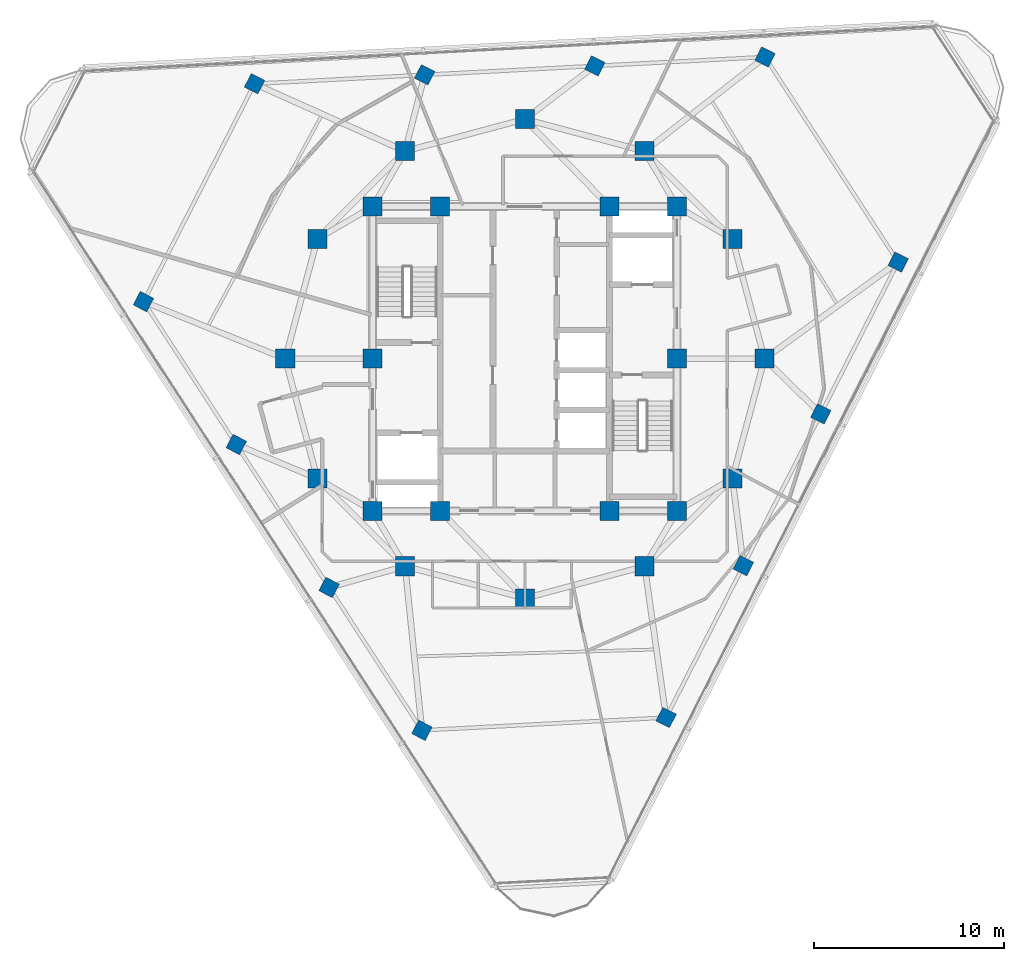
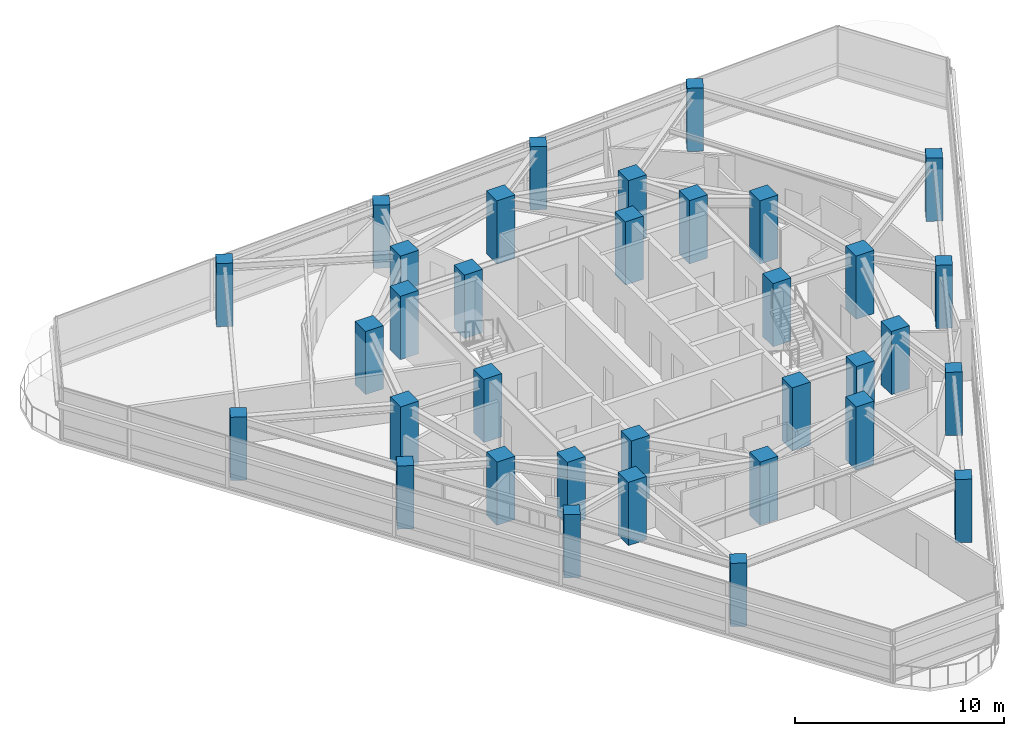
# One storey, part 1 of 15: 34 columns.
"""IFC4 building model written with IfcOpenShell, lengths in metres."""

from ifc_helpers import new_model, si_unit, direction, frame, origin, origin_2d, place, context, subcontext, project, spatial, rectangle, extrude, material, material_profile, profile_set, type_object, element, save


model = new_model("IFC4")

# Units and contexts
model_context = context("Model", 3, precision=1e-05, world=origin(), true_north=direction((0.0, 1.0)))
body_context = subcontext(model_context, "Body", "Model", "MODEL_VIEW")
ifc_project = project(units=[si_unit("LENGTHUNIT", "METRE"), si_unit("AREAUNIT", "SQUARE_METRE"), si_unit("VOLUMEUNIT", "CUBIC_METRE"), si_unit("PLANEANGLEUNIT", "RADIAN"), si_unit("MASSUNIT", "GRAM", prefix="KILO")], contexts=[model_context])

# Site, building, storey
site_placement = place(None, origin())
site = spatial("IfcSite", under=ifc_project, at=site_placement, CompositionType="ELEMENT")
building_placement = place(site_placement, origin())
building = spatial("IfcBuilding", under=site, at=building_placement, Name="Terralouvre Media Tower", CompositionType="ELEMENT")
storey_placement = place(building_placement, frame((0.0, 0.0, 263.300048828125)))
storey = spatial("IfcBuildingStorey", under=building, at=storey_placement, Name="L68", CompositionType="ELEMENT", Elevation=263.300048828125)

# Columns
ifc_material_1 = material(Name="Concrete C50/60", Category="concrete")
ifc_material_profile_1 = material_profile(ifc_material_1, rectangle(XDim=1.0, YDim=1.0, at=origin_2d()), Name="RC 1000x1000")
ifc_profile_set_1 = profile_set([ifc_material_profile_1], Name="Concrete C50/60")
column_type_1 = type_object("IfcColumnType", Name="Structural Column C-RC1000 (RC 1000x1000)", PredefinedType="COLUMN", material=ifc_profile_set_1)
for number, where, z_axis, x_axis, name in (
    (1, (-8.0, -8.0, 0.0), (0.0, 0.0, 1.0), (1.0, 0.0, 0.0), "L68 Core Pilaster Column CP1"),
    (2, (-4.449951171875, -8.0, 0.0), (0.0, 0.0, 1.0), (1.0, 0.0, 0.0), "L68 Core Pilaster Column CP2"),
    (3, (4.449951171875, -8.0, 0.0), (0.0, 0.0, 1.0), (1.0, 0.0, 0.0), "L68 Core Pilaster Column CP10"),
    (4, (8.0, -8.0, 0.0), (0.0, 0.0, 1.0), (1.0, 0.0, 0.0), "L68 Core Pilaster Column CP3"),
    (5, (8.0, 0.0, 0.0), (0.0, 0.0, 1.0), (1.0, 0.0, 0.0), "L68 Core Pilaster Column CP4"),
    (6, (8.0, 8.0, 0.0), (0.0, 0.0, 1.0), (1.0, 0.0, 0.0), "L68 Core Pilaster Column CP5"),
    (7, (4.449951171875, 8.0, 0.0), (0.0, 0.0, 1.0), (1.0, 0.0, 0.0), "L68 Core Pilaster Column CP9"),
    (8, (-4.449951171875, 8.0, 0.0), (0.0, 0.0, 1.0), (1.0, 0.0, 0.0), "L68 Core Pilaster Column CP6"),
    (9, (-8.0, 8.0, 0.0), (0.0, 0.0, 1.0), (1.0, 0.0, 0.0), "L68 Core Pilaster Column CP7"),
    (10, (-8.0, 0.0, 0.0), (0.0, 0.0, 1.0), (1.0, 0.0, 0.0), "L68 Core Pilaster Column CP8"),
    (11, (12.60009765625, 0.0, 0.0), (0.0, 0.0, 1.0), (1.0, 0.0, 0.0), "L68 Mega-Frame Column MC01"),
    (12, (10.911865234375, 6.300048828125, 0.0), (0.0, 0.0, 1.0), (1.0, 0.0, 0.0), "L68 Mega-Frame Column MC02"),
    (13, (6.300048828125, 10.911865234375, 0.0), (0.0, 0.0, 1.0), (1.0, 0.0, 0.0), "L68 Mega-Frame Column MC03"),
    (14, (0.0, 12.60009765625, 0.0), (0.0, 0.0, 1.0), (1.0, 0.0, 0.0), "L68 Mega-Frame Column MC04"),
    (15, (-6.300048828125, 10.911865234375, 0.0), (0.0, 0.0, 1.0), (1.0, 0.0, 0.0), "L68 Mega-Frame Column MC05"),
    (16, (-10.911865234375, 6.300048828125, 0.0), (0.0, 0.0, 1.0), (1.0, 0.0, 0.0), "L68 Mega-Frame Column MC06"),
    (17, (-12.60009765625, 0.0, 0.0), (0.0, 0.0, 1.0), (1.0, 0.0, 0.0), "L68 Mega-Frame Column MC07"),
    (18, (-10.911865234375, -6.300048828125, 0.0), (0.0, 0.0, 1.0), (1.0, 0.0, 0.0), "L68 Mega-Frame Column MC08"),
    (19, (-6.300048828125, -10.911865234375, 0.0), (0.0, 0.0, 1.0), (1.0, 0.0, 0.0), "L68 Mega-Frame Column MC09"),
    (20, (0.0, -12.60009765625, 0.0), (0.0, 0.0, 1.0), (1.0, 0.0, 0.0), "L68 Mega-Frame Column MC10"),
    (21, (6.300048828125, -10.911865234375, 0.0), (0.0, 0.0, 1.0), (1.0, 0.0, 0.0), "L68 Mega-Frame Column MC11"),
    (22, (10.911865234375, -6.300048828125, 0.0), (0.0, 0.0, 1.0), (1.0, 0.0, 0.0), "L68 Mega-Frame Column MC12"),
):
    element("IfcColumn", number, at=place(storey_placement, frame(where, z_axis=z_axis, x_axis=x_axis)), inside=storey, type_object=column_type_1, Name=name, PredefinedType="COLUMN", context=body_context, shape_type="SweptSolid", body=[
        extrude(rectangle(XDim=1.0, YDim=1.0, at=origin_2d()), origin(), (0.0, 0.0, 1.0), 3.699951171875),
    ])
ifc_material_2 = material(Name="Concrete C50/60", Category="concrete")
ifc_material_profile_2 = material_profile(ifc_material_2, rectangle(XDim=0.800048828125, YDim=0.800048828125, at=origin_2d()), Name="RC 800x800")
ifc_profile_set_2 = profile_set([ifc_material_profile_2], Name="Concrete C50/60")
column_type_2 = type_object("IfcColumnType", Name="Structural Column C-RC800 (RC 800x800)", PredefinedType="COLUMN", material=ifc_profile_set_2)
for number, where, z_axis, x_axis, name in (
    (23, (7.42626953125, -18.867919921875, 0.0), (0.0, 0.0, 1.0), (0.45399049974, 0.891006524188, 0.0), "L68 Perimeter Mega-Column PC11"),
    (24, (11.493896484375, -10.884521484375, 0.0), (0.0, 0.0, 1.0), (0.45399049974, 0.891006524188, 0.0), "L68 Perimeter Mega-Column PC12"),
    (25, (15.561767578125, -2.901123046875, 0.0), (0.0, 0.0, 1.0), (0.45399049974, 0.891006524188, 0.0), "L68 Perimeter Mega-Column PC13"),
    (26, (19.62939453125, 5.082275390625, 0.0), (0.0, 0.0, 1.0), (0.45399049974, 0.891006524188, 0.0), "L68 Perimeter Mega-Column PC14"),
    (27, (12.626953125, 15.865234375, 0.0), (0.0, 0.0, 1.0), (0.45399049974, 0.891006524188, 0.0), "L68 Perimeter Mega-Column PC21"),
    (28, (3.67919921875, 15.396240234375, 0.0), (0.0, 0.0, 1.0), (0.45399049974, 0.891006524188, 0.0), "L68 Perimeter Mega-Column PC22"),
    (29, (-5.2685546875, 14.927490234375, 0.0), (0.0, 0.0, 1.0), (0.45399049974, 0.891006524188, 0.0), "L68 Perimeter Mega-Column PC23"),
    (30, (-14.21630859375, 14.45849609375, 0.0), (0.0, 0.0, 1.0), (0.45399049974, 0.891006524188, 0.0), "L68 Perimeter Mega-Column PC24"),
    (31, (-20.05322265625, 3.002685546875, 0.0), (0.0, 0.0, 1.0), (0.45399049974, 0.891006524188, 0.0), "L68 Perimeter Mega-Column PC31"),
    (32, (-15.17333984375, -4.51171875, 0.0), (0.0, 0.0, 1.0), (0.45399049974, 0.891006524188, 0.0), "L68 Perimeter Mega-Column PC32"),
    (33, (-10.293212890625, -12.0263671875, 0.0), (0.0, 0.0, 1.0), (0.45399049974, 0.891006524188, 0.0), "L68 Perimeter Mega-Column PC33"),
    (34, (-5.413330078125, -19.540771484375, 0.0), (0.0, 0.0, 1.0), (0.45399049974, 0.891006524188, 0.0), "L68 Perimeter Mega-Column PC34"),
):
    element("IfcColumn", number, at=place(storey_placement, frame(where, z_axis=z_axis, x_axis=x_axis)), inside=storey, type_object=column_type_2, Name=name, PredefinedType="COLUMN", context=body_context, shape_type="SweptSolid", body=[
        extrude(rectangle(XDim=0.800048828125, YDim=0.800048828125, at=origin_2d()), origin(), (0.0, 0.0, 1.0), 3.699951171875),
    ])

save(model, "model.ifc")
